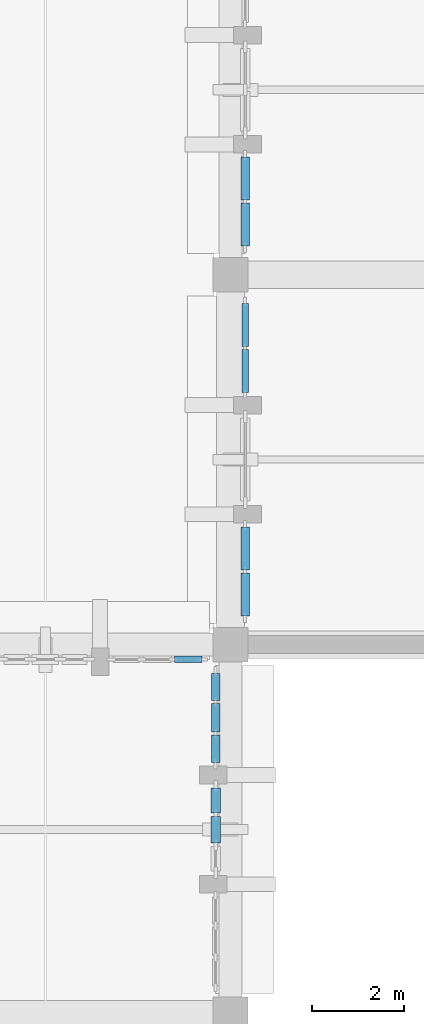
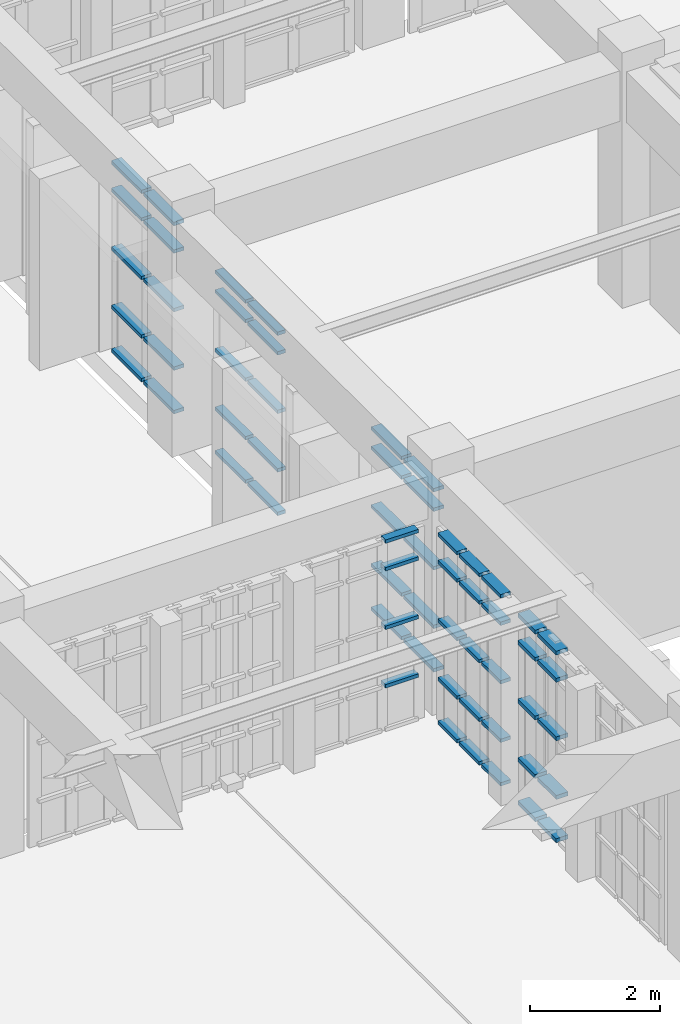
# One storey, part 67 of 155: 59 members, 6 elements without a shape of their own.
"""IFC4 building model written with IfcOpenShell, lengths in metres."""

from ifc_helpers import new_model, si_unit, direction, frame, origin, origin_2d, place, context, subcontext, project, spatial, rectangle, extrude, material, layer, layer_set, material_profile, profile_set, type_object, element, aggregate, save


model = new_model("IFC4")

# Units and contexts
model_context = context("Model", 3, precision=1e-05, world=origin(), true_north=direction((0.0, 1.0)))
body_context = subcontext(model_context, "Body", "Model", "MODEL_VIEW")
ifc_project = project(units=[si_unit("LENGTHUNIT", "METRE"), si_unit("AREAUNIT", "SQUARE_METRE"), si_unit("VOLUMEUNIT", "CUBIC_METRE"), si_unit("PLANEANGLEUNIT", "RADIAN"), si_unit("MASSUNIT", "GRAM", prefix="KILO")], contexts=[model_context])

# Site, building, storey
site_placement = place(None, origin())
site = spatial("IfcSite", under=ifc_project, at=site_placement, CompositionType="ELEMENT")
building_placement = place(site_placement, origin())
building = spatial("IfcBuilding", under=site, at=building_placement, Name="Tazarka Park Arena", CompositionType="ELEMENT")
storey_placement = place(building_placement, frame((0.0, 0.0, 5.39990234375)))
storey = spatial("IfcBuildingStorey", under=building, at=storey_placement, Name="L01", CompositionType="ELEMENT", Elevation=5.39990234375)

# Curtain wall, members
ifc_material_1 = material(Name="Aluminium and low-e glass", Category="aluminium")
ifc_layer_1 = layer(ifc_material_1, 0.179931640625, Name="Aluminium and low-e glass")
ifc_layer_set_1 = layer_set([ifc_layer_1], Name="Aluminium and low-e glass")
curtain_wall_type_1 = type_object("IfcCurtainWallType", Name="CW-30", PredefinedType="NOTDEFINED", material=ifc_layer_set_1)
curtain_wall_1_placement = place(storey_placement, origin())
curtain_wall_1 = element("IfcCurtainWall", 1, at=curtain_wall_1_placement, inside=storey, type_object=curtain_wall_type_1, Name="Curtain Wall CWA-L01-060", PredefinedType="NOTDEFINED")
ifc_material_2 = material(Name="Aluminium 6060-T66", Category="aluminium")
ifc_material_profile_1 = material_profile(ifc_material_2, rectangle(XDim=0.139892578125, YDim=0.06494140625, at=origin_2d()), Name="Aluminium 6060-T66")
ifc_profile_set_1 = profile_set([ifc_material_profile_1], Name="Aluminium 6060-T66")
member_type_1 = type_object("IfcMemberType", Name="CWT-01", PredefinedType="USERDEFINED", material=ifc_profile_set_1)
member_1_placement = place(storey_placement, frame((40.320068359375, 117.456787109375, 0.03271484375), z_axis=(0.0, 1.0, 0.0), x_axis=(-1.0, 0.0, 0.0)))
member_1 = element("IfcMember", 2, at=member_1_placement, type_object=member_type_1, Name="CW-30 transom 1.1", ObjectType="TRANSOM", PredefinedType="USERDEFINED", context=body_context, shape_type="SweptSolid", body=[
    extrude(rectangle(XDim=0.139892578125, YDim=0.06494140625, at=origin_2d()), origin(), (0.0, 0.0, 1.0), 0.928955078125),
])
member_2_placement = place(storey_placement, frame((40.320068359375, 117.456787109375, 0.85009765625), z_axis=(0.0, 1.0, 0.0), x_axis=(-1.0, 0.0, 0.0)))
member_2 = element("IfcMember", 3, at=member_2_placement, type_object=member_type_1, Name="CW-30 transom 1.2", ObjectType="TRANSOM", PredefinedType="USERDEFINED", context=body_context, shape_type="SweptSolid", body=[
    extrude(rectangle(XDim=0.139892578125, YDim=0.06494140625, at=origin_2d()), origin(), (0.0, 0.0, 1.0), 0.928955078125),
])
member_3_placement = place(storey_placement, frame((40.320068359375, 117.456787109375, 1.9501953125), z_axis=(0.0, 1.0, 0.0), x_axis=(-1.0, 0.0, 0.0)))
member_3 = element("IfcMember", 4, at=member_3_placement, type_object=member_type_1, Name="CW-30 transom 1.3", ObjectType="TRANSOM", PredefinedType="USERDEFINED", context=body_context, shape_type="SweptSolid", body=[
    extrude(rectangle(XDim=0.139892578125, YDim=0.06494140625, at=origin_2d()), origin(), (0.0, 0.0, 1.0), 0.928955078125),
])
member_4_placement = place(storey_placement, frame((40.320068359375, 117.456787109375, 3.050048828125), z_axis=(0.0, 1.0, 0.0), x_axis=(-1.0, 0.0, 0.0)))
member_4 = element("IfcMember", 5, at=member_4_placement, type_object=member_type_1, Name="CW-30 transom 1.4", ObjectType="TRANSOM", PredefinedType="USERDEFINED", context=body_context, shape_type="SweptSolid", body=[
    extrude(rectangle(XDim=0.139892578125, YDim=0.06494140625, at=origin_2d()), origin(), (0.0, 0.0, 1.0), 0.928955078125),
])
member_5_placement = place(storey_placement, frame((40.320068359375, 117.456787109375, 3.41748046875), z_axis=(0.0, 1.0, 0.0), x_axis=(-1.0, 0.0, 0.0)))
member_5 = element("IfcMember", 6, at=member_5_placement, type_object=member_type_1, Name="CW-30 transom 1.5", ObjectType="TRANSOM", PredefinedType="USERDEFINED", context=body_context, shape_type="SweptSolid", body=[
    extrude(rectangle(XDim=0.139892578125, YDim=0.06494140625, at=origin_2d()), origin(), (0.0, 0.0, 1.0), 0.928955078125),
])
member_6_placement = place(storey_placement, frame((40.320068359375, 118.450927734375, 0.03271484375), z_axis=(0.0, 1.0, 0.0), x_axis=(-1.0, 0.0, 0.0)))
member_6 = element("IfcMember", 7, at=member_6_placement, type_object=member_type_1, Name="CW-30 transom 2.1", ObjectType="TRANSOM", PredefinedType="USERDEFINED", context=body_context, shape_type="SweptSolid", body=[
    extrude(rectangle(XDim=0.139892578125, YDim=0.06494140625, at=origin_2d()), origin(), (0.0, 0.0, 1.0), 0.928955078125),
])
member_7_placement = place(storey_placement, frame((40.320068359375, 118.450927734375, 0.85009765625), z_axis=(0.0, 1.0, 0.0), x_axis=(-1.0, 0.0, 0.0)))
member_7 = element("IfcMember", 8, at=member_7_placement, type_object=member_type_1, Name="CW-30 transom 2.2", ObjectType="TRANSOM", PredefinedType="USERDEFINED", context=body_context, shape_type="SweptSolid", body=[
    extrude(rectangle(XDim=0.139892578125, YDim=0.06494140625, at=origin_2d()), origin(), (0.0, 0.0, 1.0), 0.928955078125),
])
member_8_placement = place(storey_placement, frame((40.320068359375, 118.450927734375, 1.9501953125), z_axis=(0.0, 1.0, 0.0), x_axis=(-1.0, 0.0, 0.0)))
member_8 = element("IfcMember", 9, at=member_8_placement, type_object=member_type_1, Name="CW-30 transom 2.3", ObjectType="TRANSOM", PredefinedType="USERDEFINED", context=body_context, shape_type="SweptSolid", body=[
    extrude(rectangle(XDim=0.139892578125, YDim=0.06494140625, at=origin_2d()), origin(), (0.0, 0.0, 1.0), 0.928955078125),
])
member_9_placement = place(storey_placement, frame((40.320068359375, 118.450927734375, 3.050048828125), z_axis=(0.0, 1.0, 0.0), x_axis=(-1.0, 0.0, 0.0)))
member_9 = element("IfcMember", 10, at=member_9_placement, type_object=member_type_1, Name="CW-30 transom 2.4", ObjectType="TRANSOM", PredefinedType="USERDEFINED", context=body_context, shape_type="SweptSolid", body=[
    extrude(rectangle(XDim=0.139892578125, YDim=0.06494140625, at=origin_2d()), origin(), (0.0, 0.0, 1.0), 0.928955078125),
])
member_10_placement = place(storey_placement, frame((40.320068359375, 118.450927734375, 3.41748046875), z_axis=(0.0, 1.0, 0.0), x_axis=(-1.0, 0.0, 0.0)))
member_10 = element("IfcMember", 11, at=member_10_placement, type_object=member_type_1, Name="CW-30 transom 2.5", ObjectType="TRANSOM", PredefinedType="USERDEFINED", context=body_context, shape_type="SweptSolid", body=[
    extrude(rectangle(XDim=0.139892578125, YDim=0.06494140625, at=origin_2d()), origin(), (0.0, 0.0, 1.0), 0.928955078125),
])
aggregate(curtain_wall_1, [member_1, member_2, member_3, member_4, member_5, member_6, member_7, member_8, member_9, member_10])

ifc_material_3 = material(Name="Aluminium and low-e glass", Category="aluminium")
ifc_layer_2 = layer(ifc_material_3, 0.179931640625, Name="Aluminium and low-e glass")
ifc_layer_set_2 = layer_set([ifc_layer_2], Name="Aluminium and low-e glass")
curtain_wall_type_2 = type_object("IfcCurtainWallType", Name="CW-06", PredefinedType="NOTDEFINED", material=ifc_layer_set_2)
curtain_wall_2_placement = place(storey_placement, origin())
curtain_wall_2 = element("IfcCurtainWall", 12, at=curtain_wall_2_placement, inside=storey, type_object=curtain_wall_type_2, Name="Curtain Wall CWA-L01-126", PredefinedType="NOTDEFINED")
member_11_placement = place(storey_placement, frame((38.79296875, 111.679931640625, 0.85009765625), z_axis=(1.0, 0.0, 0.0), x_axis=(0.0, 1.0, 0.0)))
member_11 = element("IfcMember", 13, at=member_11_placement, type_object=member_type_1, Name="CW-06 transom 3.2", ObjectType="TRANSOM", PredefinedType="USERDEFINED", context=body_context, shape_type="SweptSolid", body=[
    extrude(rectangle(XDim=0.139892578125, YDim=0.06494140625, at=origin_2d()), origin(), (0.0, 0.0, 1.0), 0.5869140625),
])
member_12_placement = place(storey_placement, frame((38.79296875, 111.679931640625, 1.9501953125), z_axis=(1.0, 0.0, 0.0), x_axis=(0.0, 1.0, 0.0)))
member_12 = element("IfcMember", 14, at=member_12_placement, type_object=member_type_1, Name="CW-06 transom 3.3", ObjectType="TRANSOM", PredefinedType="USERDEFINED", context=body_context, shape_type="SweptSolid", body=[
    extrude(rectangle(XDim=0.139892578125, YDim=0.06494140625, at=origin_2d()), origin(), (0.0, 0.0, 1.0), 0.5869140625),
])
member_13_placement = place(storey_placement, frame((38.79296875, 111.679931640625, 3.050048828125), z_axis=(1.0, 0.0, 0.0), x_axis=(0.0, 1.0, 0.0)))
member_13 = element("IfcMember", 15, at=member_13_placement, type_object=member_type_1, Name="CW-06 transom 3.4", ObjectType="TRANSOM", PredefinedType="USERDEFINED", context=body_context, shape_type="SweptSolid", body=[
    extrude(rectangle(XDim=0.139892578125, YDim=0.06494140625, at=origin_2d()), origin(), (0.0, 0.0, 1.0), 0.5869140625),
])
member_14_placement = place(storey_placement, frame((38.79296875, 111.679931640625, 3.567626953125), z_axis=(1.0, 0.0, 0.0), x_axis=(0.0, 1.0, 0.0)))
member_14 = element("IfcMember", 16, at=member_14_placement, type_object=member_type_1, Name="CW-06 transom 3.5", ObjectType="TRANSOM", PredefinedType="USERDEFINED", context=body_context, shape_type="SweptSolid", body=[
    extrude(rectangle(XDim=0.139892578125, YDim=0.06494140625, at=origin_2d()), origin(), (0.0, 0.0, 1.0), 0.5869140625),
])
aggregate(curtain_wall_2, [member_11, member_12, member_13, member_14])

ifc_material_4 = material(Name="Aluminium and low-e glass", Category="aluminium")
ifc_layer_3 = layer(ifc_material_4, 0.179931640625, Name="Aluminium and low-e glass")
ifc_layer_set_3 = layer_set([ifc_layer_3], Name="Aluminium and low-e glass")
curtain_wall_type_3 = type_object("IfcCurtainWallType", Name="CW-25", PredefinedType="NOTDEFINED", material=ifc_layer_set_3)
curtain_wall_3_placement = place(storey_placement, origin())
curtain_wall_3 = element("IfcCurtainWall", 17, at=curtain_wall_3_placement, inside=storey, type_object=curtain_wall_type_3, Name="Curtain Wall CWA-L01-055", PredefinedType="NOTDEFINED")
ifc_material_5 = material(Name="Aluminium 6060-T66", Category="aluminium")
ifc_material_profile_2 = material_profile(ifc_material_5, rectangle(XDim=0.179931640625, YDim=0.06494140625, at=origin_2d()), Name="Aluminium 6060-T66")
ifc_profile_set_2 = profile_set([ifc_material_profile_2], Name="Aluminium 6060-T66")
member_type_2 = type_object("IfcMemberType", Name="CWT-02", PredefinedType="USERDEFINED", material=ifc_profile_set_2)
member_15_placement = place(storey_placement, frame((40.320068359375, 120.6201171875, 0.03271484375), z_axis=(0.0, 1.0, 0.0), x_axis=(-1.0, 0.0, 0.0)))
member_15 = element("IfcMember", 18, at=member_15_placement, type_object=member_type_2, Name="CW-25 transom 1.1", ObjectType="TRANSOM", PredefinedType="USERDEFINED", context=body_context, shape_type="SweptSolid", body=[
    extrude(rectangle(XDim=0.179931640625, YDim=0.06494140625, at=origin_2d()), origin(), (0.0, 0.0, 1.0), 0.928955078125),
])
member_16_placement = place(storey_placement, frame((40.320068359375, 120.6201171875, 0.85009765625), z_axis=(0.0, 1.0, 0.0), x_axis=(-1.0, 0.0, 0.0)))
member_16 = element("IfcMember", 19, at=member_16_placement, type_object=member_type_2, Name="CW-25 transom 1.2", ObjectType="TRANSOM", PredefinedType="USERDEFINED", context=body_context, shape_type="SweptSolid", body=[
    extrude(rectangle(XDim=0.179931640625, YDim=0.06494140625, at=origin_2d()), origin(), (0.0, 0.0, 1.0), 0.928955078125),
])
member_17_placement = place(storey_placement, frame((40.320068359375, 120.6201171875, 1.9501953125), z_axis=(0.0, 1.0, 0.0), x_axis=(-1.0, 0.0, 0.0)))
member_17 = element("IfcMember", 20, at=member_17_placement, type_object=member_type_2, Name="CW-25 transom 1.3", ObjectType="TRANSOM", PredefinedType="USERDEFINED", context=body_context, shape_type="SweptSolid", body=[
    extrude(rectangle(XDim=0.179931640625, YDim=0.06494140625, at=origin_2d()), origin(), (0.0, 0.0, 1.0), 0.928955078125),
])
member_18_placement = place(storey_placement, frame((40.320068359375, 120.6201171875, 3.050048828125), z_axis=(0.0, 1.0, 0.0), x_axis=(-1.0, 0.0, 0.0)))
member_18 = element("IfcMember", 21, at=member_18_placement, type_object=member_type_2, Name="CW-25 transom 1.4", ObjectType="TRANSOM", PredefinedType="USERDEFINED", context=body_context, shape_type="SweptSolid", body=[
    extrude(rectangle(XDim=0.179931640625, YDim=0.06494140625, at=origin_2d()), origin(), (0.0, 0.0, 1.0), 0.928955078125),
])
member_19_placement = place(storey_placement, frame((40.320068359375, 120.6201171875, 3.567626953125), z_axis=(0.0, 1.0, 0.0), x_axis=(-1.0, 0.0, 0.0)))
member_19 = element("IfcMember", 22, at=member_19_placement, type_object=member_type_2, Name="CW-25 transom 1.5", ObjectType="TRANSOM", PredefinedType="USERDEFINED", context=body_context, shape_type="SweptSolid", body=[
    extrude(rectangle(XDim=0.179931640625, YDim=0.06494140625, at=origin_2d()), origin(), (0.0, 0.0, 1.0), 0.928955078125),
])
member_20_placement = place(storey_placement, frame((40.320068359375, 121.6142578125, 0.03271484375), z_axis=(0.0, 1.0, 0.0), x_axis=(-1.0, 0.0, 0.0)))
member_20 = element("IfcMember", 23, at=member_20_placement, type_object=member_type_2, Name="CW-25 transom 2.1", ObjectType="TRANSOM", PredefinedType="USERDEFINED", context=body_context, shape_type="SweptSolid", body=[
    extrude(rectangle(XDim=0.179931640625, YDim=0.06494140625, at=origin_2d()), origin(), (0.0, 0.0, 1.0), 0.928955078125),
])
member_21_placement = place(storey_placement, frame((40.320068359375, 121.6142578125, 0.85009765625), z_axis=(0.0, 1.0, 0.0), x_axis=(-1.0, 0.0, 0.0)))
member_21 = element("IfcMember", 24, at=member_21_placement, type_object=member_type_2, Name="CW-25 transom 2.2", ObjectType="TRANSOM", PredefinedType="USERDEFINED", context=body_context, shape_type="SweptSolid", body=[
    extrude(rectangle(XDim=0.179931640625, YDim=0.06494140625, at=origin_2d()), origin(), (0.0, 0.0, 1.0), 0.928955078125),
])
member_22_placement = place(storey_placement, frame((40.320068359375, 121.6142578125, 1.9501953125), z_axis=(0.0, 1.0, 0.0), x_axis=(-1.0, 0.0, 0.0)))
member_22 = element("IfcMember", 25, at=member_22_placement, type_object=member_type_2, Name="CW-25 transom 2.3", ObjectType="TRANSOM", PredefinedType="USERDEFINED", context=body_context, shape_type="SweptSolid", body=[
    extrude(rectangle(XDim=0.179931640625, YDim=0.06494140625, at=origin_2d()), origin(), (0.0, 0.0, 1.0), 0.928955078125),
])
member_23_placement = place(storey_placement, frame((40.320068359375, 121.6142578125, 3.050048828125), z_axis=(0.0, 1.0, 0.0), x_axis=(-1.0, 0.0, 0.0)))
member_23 = element("IfcMember", 26, at=member_23_placement, type_object=member_type_2, Name="CW-25 transom 2.4", ObjectType="TRANSOM", PredefinedType="USERDEFINED", context=body_context, shape_type="SweptSolid", body=[
    extrude(rectangle(XDim=0.179931640625, YDim=0.06494140625, at=origin_2d()), origin(), (0.0, 0.0, 1.0), 0.928955078125),
])
member_24_placement = place(storey_placement, frame((40.320068359375, 121.6142578125, 3.567626953125), z_axis=(0.0, 1.0, 0.0), x_axis=(-1.0, 0.0, 0.0)))
member_24 = element("IfcMember", 27, at=member_24_placement, type_object=member_type_2, Name="CW-25 transom 2.5", ObjectType="TRANSOM", PredefinedType="USERDEFINED", context=body_context, shape_type="SweptSolid", body=[
    extrude(rectangle(XDim=0.179931640625, YDim=0.06494140625, at=origin_2d()), origin(), (0.0, 0.0, 1.0), 0.928955078125),
])
aggregate(curtain_wall_3, [member_15, member_16, member_17, member_18, member_19, member_20, member_21, member_22, member_23, member_24])

ifc_material_6 = material(Name="Aluminium and low-e glass", Category="aluminium")
ifc_layer_4 = layer(ifc_material_6, 0.179931640625, Name="Aluminium and low-e glass")
ifc_layer_set_4 = layer_set([ifc_layer_4], Name="Aluminium and low-e glass")
curtain_wall_type_4 = type_object("IfcCurtainWallType", Name="CW-28", PredefinedType="NOTDEFINED", material=ifc_layer_set_4)
curtain_wall_4_placement = place(storey_placement, origin())
curtain_wall_4 = element("IfcCurtainWall", 28, at=curtain_wall_4_placement, inside=storey, type_object=curtain_wall_type_4, Name="Curtain Wall CWA-L01-058", PredefinedType="NOTDEFINED")
member_25_placement = place(storey_placement, frame((40.320068359375, 112.6201171875, 0.03271484375), z_axis=(0.0, 1.0, 0.0), x_axis=(-1.0, 0.0, 0.0)))
member_25 = element("IfcMember", 29, at=member_25_placement, type_object=member_type_2, Name="CW-28 transom 1.1", ObjectType="TRANSOM", PredefinedType="USERDEFINED", context=body_context, shape_type="SweptSolid", body=[
    extrude(rectangle(XDim=0.179931640625, YDim=0.06494140625, at=origin_2d()), origin(), (0.0, 0.0, 1.0), 0.928955078125),
])
member_26_placement = place(storey_placement, frame((40.320068359375, 112.6201171875, 0.85009765625), z_axis=(0.0, 1.0, 0.0), x_axis=(-1.0, 0.0, 0.0)))
member_26 = element("IfcMember", 30, at=member_26_placement, type_object=member_type_2, Name="CW-28 transom 1.2", ObjectType="TRANSOM", PredefinedType="USERDEFINED", context=body_context, shape_type="SweptSolid", body=[
    extrude(rectangle(XDim=0.179931640625, YDim=0.06494140625, at=origin_2d()), origin(), (0.0, 0.0, 1.0), 0.928955078125),
])
member_27_placement = place(storey_placement, frame((40.320068359375, 112.6201171875, 1.9501953125), z_axis=(0.0, 1.0, 0.0), x_axis=(-1.0, 0.0, 0.0)))
member_27 = element("IfcMember", 31, at=member_27_placement, type_object=member_type_2, Name="CW-28 transom 1.3", ObjectType="TRANSOM", PredefinedType="USERDEFINED", context=body_context, shape_type="SweptSolid", body=[
    extrude(rectangle(XDim=0.179931640625, YDim=0.06494140625, at=origin_2d()), origin(), (0.0, 0.0, 1.0), 0.928955078125),
])
member_28_placement = place(storey_placement, frame((40.320068359375, 112.6201171875, 3.050048828125), z_axis=(0.0, 1.0, 0.0), x_axis=(-1.0, 0.0, 0.0)))
member_28 = element("IfcMember", 32, at=member_28_placement, type_object=member_type_2, Name="CW-28 transom 1.4", ObjectType="TRANSOM", PredefinedType="USERDEFINED", context=body_context, shape_type="SweptSolid", body=[
    extrude(rectangle(XDim=0.179931640625, YDim=0.06494140625, at=origin_2d()), origin(), (0.0, 0.0, 1.0), 0.928955078125),
])
member_29_placement = place(storey_placement, frame((40.320068359375, 112.6201171875, 3.41748046875), z_axis=(0.0, 1.0, 0.0), x_axis=(-1.0, 0.0, 0.0)))
member_29 = element("IfcMember", 33, at=member_29_placement, type_object=member_type_2, Name="CW-28 transom 1.5", ObjectType="TRANSOM", PredefinedType="USERDEFINED", context=body_context, shape_type="SweptSolid", body=[
    extrude(rectangle(XDim=0.179931640625, YDim=0.06494140625, at=origin_2d()), origin(), (0.0, 0.0, 1.0), 0.928955078125),
])
member_30_placement = place(storey_placement, frame((40.320068359375, 113.6142578125, 0.03271484375), z_axis=(0.0, 1.0, 0.0), x_axis=(-1.0, 0.0, 0.0)))
member_30 = element("IfcMember", 34, at=member_30_placement, type_object=member_type_2, Name="CW-28 transom 2.1", ObjectType="TRANSOM", PredefinedType="USERDEFINED", context=body_context, shape_type="SweptSolid", body=[
    extrude(rectangle(XDim=0.179931640625, YDim=0.06494140625, at=origin_2d()), origin(), (0.0, 0.0, 1.0), 0.928955078125),
])
member_31_placement = place(storey_placement, frame((40.320068359375, 113.6142578125, 0.85009765625), z_axis=(0.0, 1.0, 0.0), x_axis=(-1.0, 0.0, 0.0)))
member_31 = element("IfcMember", 35, at=member_31_placement, type_object=member_type_2, Name="CW-28 transom 2.2", ObjectType="TRANSOM", PredefinedType="USERDEFINED", context=body_context, shape_type="SweptSolid", body=[
    extrude(rectangle(XDim=0.179931640625, YDim=0.06494140625, at=origin_2d()), origin(), (0.0, 0.0, 1.0), 0.928955078125),
])
member_32_placement = place(storey_placement, frame((40.320068359375, 113.6142578125, 1.9501953125), z_axis=(0.0, 1.0, 0.0), x_axis=(-1.0, 0.0, 0.0)))
member_32 = element("IfcMember", 36, at=member_32_placement, type_object=member_type_2, Name="CW-28 transom 2.3", ObjectType="TRANSOM", PredefinedType="USERDEFINED", context=body_context, shape_type="SweptSolid", body=[
    extrude(rectangle(XDim=0.179931640625, YDim=0.06494140625, at=origin_2d()), origin(), (0.0, 0.0, 1.0), 0.928955078125),
])
member_33_placement = place(storey_placement, frame((40.320068359375, 113.6142578125, 3.050048828125), z_axis=(0.0, 1.0, 0.0), x_axis=(-1.0, 0.0, 0.0)))
member_33 = element("IfcMember", 37, at=member_33_placement, type_object=member_type_2, Name="CW-28 transom 2.4", ObjectType="TRANSOM", PredefinedType="USERDEFINED", context=body_context, shape_type="SweptSolid", body=[
    extrude(rectangle(XDim=0.179931640625, YDim=0.06494140625, at=origin_2d()), origin(), (0.0, 0.0, 1.0), 0.928955078125),
])
member_34_placement = place(storey_placement, frame((40.320068359375, 113.6142578125, 3.41748046875), z_axis=(0.0, 1.0, 0.0), x_axis=(-1.0, 0.0, 0.0)))
member_34 = element("IfcMember", 38, at=member_34_placement, type_object=member_type_2, Name="CW-28 transom 2.5", ObjectType="TRANSOM", PredefinedType="USERDEFINED", context=body_context, shape_type="SweptSolid", body=[
    extrude(rectangle(XDim=0.179931640625, YDim=0.06494140625, at=origin_2d()), origin(), (0.0, 0.0, 1.0), 0.928955078125),
])
aggregate(curtain_wall_4, [member_25, member_26, member_27, member_28, member_29, member_30, member_31, member_32, member_33, member_34])

ifc_material_7 = material(Name="Aluminium and low-e glass", Category="aluminium")
ifc_layer_5 = layer(ifc_material_7, 0.179931640625, Name="Aluminium and low-e glass")
ifc_layer_set_5 = layer_set([ifc_layer_5], Name="Aluminium and low-e glass")
curtain_wall_type_5 = type_object("IfcCurtainWallType", Name="CW-01", PredefinedType="NOTDEFINED", material=ifc_layer_set_5)
curtain_wall_5_placement = place(storey_placement, origin())
curtain_wall_5 = element("IfcCurtainWall", 39, at=curtain_wall_5_placement, inside=storey, type_object=curtain_wall_type_5, Name="Curtain Wall CWA-L01-121", PredefinedType="NOTDEFINED")
member_35_placement = place(storey_placement, frame((39.679931640625, 111.3798828125, 0.03271484375), z_axis=(0.0, -1.0, 0.0), x_axis=(1.0, 0.0, 0.0)))
member_35 = element("IfcMember", 40, at=member_35_placement, type_object=member_type_2, Name="CW-01 transom 1.1", ObjectType="TRANSOM", PredefinedType="USERDEFINED", context=body_context, shape_type="SweptSolid", body=[
    extrude(rectangle(XDim=0.179931640625, YDim=0.06494140625, at=origin_2d()), origin(), (0.0, 0.0, 1.0), 0.5869140625),
])
member_36_placement = place(storey_placement, frame((39.679931640625, 111.3798828125, 0.85009765625), z_axis=(0.0, -1.0, 0.0), x_axis=(1.0, 0.0, 0.0)))
member_36 = element("IfcMember", 41, at=member_36_placement, type_object=member_type_2, Name="CW-01 transom 1.2", ObjectType="TRANSOM", PredefinedType="USERDEFINED", context=body_context, shape_type="SweptSolid", body=[
    extrude(rectangle(XDim=0.179931640625, YDim=0.06494140625, at=origin_2d()), origin(), (0.0, 0.0, 1.0), 0.5869140625),
])
member_37_placement = place(storey_placement, frame((39.679931640625, 111.3798828125, 1.9501953125), z_axis=(0.0, -1.0, 0.0), x_axis=(1.0, 0.0, 0.0)))
member_37 = element("IfcMember", 42, at=member_37_placement, type_object=member_type_2, Name="CW-01 transom 1.3", ObjectType="TRANSOM", PredefinedType="USERDEFINED", context=body_context, shape_type="SweptSolid", body=[
    extrude(rectangle(XDim=0.179931640625, YDim=0.06494140625, at=origin_2d()), origin(), (0.0, 0.0, 1.0), 0.5869140625),
])
member_38_placement = place(storey_placement, frame((39.679931640625, 111.3798828125, 3.050048828125), z_axis=(0.0, -1.0, 0.0), x_axis=(1.0, 0.0, 0.0)))
member_38 = element("IfcMember", 43, at=member_38_placement, type_object=member_type_2, Name="CW-01 transom 1.4", ObjectType="TRANSOM", PredefinedType="USERDEFINED", context=body_context, shape_type="SweptSolid", body=[
    extrude(rectangle(XDim=0.179931640625, YDim=0.06494140625, at=origin_2d()), origin(), (0.0, 0.0, 1.0), 0.5869140625),
])
member_39_placement = place(storey_placement, frame((39.679931640625, 111.3798828125, 3.567626953125), z_axis=(0.0, -1.0, 0.0), x_axis=(1.0, 0.0, 0.0)))
member_39 = element("IfcMember", 44, at=member_39_placement, type_object=member_type_2, Name="CW-01 transom 1.5", ObjectType="TRANSOM", PredefinedType="USERDEFINED", context=body_context, shape_type="SweptSolid", body=[
    extrude(rectangle(XDim=0.179931640625, YDim=0.06494140625, at=origin_2d()), origin(), (0.0, 0.0, 1.0), 0.5869140625),
])
member_40_placement = place(storey_placement, frame((39.679931640625, 110.72802734375, 0.03271484375), z_axis=(0.0, -1.0, 0.0), x_axis=(1.0, 0.0, 0.0)))
member_40 = element("IfcMember", 45, at=member_40_placement, type_object=member_type_2, Name="CW-01 transom 2.1", ObjectType="TRANSOM", PredefinedType="USERDEFINED", context=body_context, shape_type="SweptSolid", body=[
    extrude(rectangle(XDim=0.179931640625, YDim=0.06494140625, at=origin_2d()), origin(), (0.0, 0.0, 1.0), 0.619384765625),
])
member_41_placement = place(storey_placement, frame((39.679931640625, 110.72802734375, 0.85009765625), z_axis=(0.0, -1.0, 0.0), x_axis=(1.0, 0.0, 0.0)))
member_41 = element("IfcMember", 46, at=member_41_placement, type_object=member_type_2, Name="CW-01 transom 2.2", ObjectType="TRANSOM", PredefinedType="USERDEFINED", context=body_context, shape_type="SweptSolid", body=[
    extrude(rectangle(XDim=0.179931640625, YDim=0.06494140625, at=origin_2d()), origin(), (0.0, 0.0, 1.0), 0.619384765625),
])
member_42_placement = place(storey_placement, frame((39.679931640625, 110.72802734375, 1.9501953125), z_axis=(0.0, -1.0, 0.0), x_axis=(1.0, 0.0, 0.0)))
member_42 = element("IfcMember", 47, at=member_42_placement, type_object=member_type_2, Name="CW-01 transom 2.3", ObjectType="TRANSOM", PredefinedType="USERDEFINED", context=body_context, shape_type="SweptSolid", body=[
    extrude(rectangle(XDim=0.179931640625, YDim=0.06494140625, at=origin_2d()), origin(), (0.0, 0.0, 1.0), 0.619384765625),
])
member_43_placement = place(storey_placement, frame((39.679931640625, 110.72802734375, 3.050048828125), z_axis=(0.0, -1.0, 0.0), x_axis=(1.0, 0.0, 0.0)))
member_43 = element("IfcMember", 48, at=member_43_placement, type_object=member_type_2, Name="CW-01 transom 2.4", ObjectType="TRANSOM", PredefinedType="USERDEFINED", context=body_context, shape_type="SweptSolid", body=[
    extrude(rectangle(XDim=0.179931640625, YDim=0.06494140625, at=origin_2d()), origin(), (0.0, 0.0, 1.0), 0.619384765625),
])
member_44_placement = place(storey_placement, frame((39.679931640625, 110.72802734375, 3.567626953125), z_axis=(0.0, -1.0, 0.0), x_axis=(1.0, 0.0, 0.0)))
member_44 = element("IfcMember", 49, at=member_44_placement, type_object=member_type_2, Name="CW-01 transom 2.5", ObjectType="TRANSOM", PredefinedType="USERDEFINED", context=body_context, shape_type="SweptSolid", body=[
    extrude(rectangle(XDim=0.179931640625, YDim=0.06494140625, at=origin_2d()), origin(), (0.0, 0.0, 1.0), 0.619384765625),
])
member_45_placement = place(storey_placement, frame((39.679931640625, 110.043701171875, 0.03271484375), z_axis=(0.0, -1.0, 0.0), x_axis=(1.0, 0.0, 0.0)))
member_45 = element("IfcMember", 50, at=member_45_placement, type_object=member_type_2, Name="CW-01 transom 3.1", ObjectType="TRANSOM", PredefinedType="USERDEFINED", context=body_context, shape_type="SweptSolid", body=[
    extrude(rectangle(XDim=0.179931640625, YDim=0.06494140625, at=origin_2d()), origin(), (0.0, 0.0, 1.0), 0.5869140625),
])
member_46_placement = place(storey_placement, frame((39.679931640625, 110.043701171875, 0.85009765625), z_axis=(0.0, -1.0, 0.0), x_axis=(1.0, 0.0, 0.0)))
member_46 = element("IfcMember", 51, at=member_46_placement, type_object=member_type_2, Name="CW-01 transom 3.2", ObjectType="TRANSOM", PredefinedType="USERDEFINED", context=body_context, shape_type="SweptSolid", body=[
    extrude(rectangle(XDim=0.179931640625, YDim=0.06494140625, at=origin_2d()), origin(), (0.0, 0.0, 1.0), 0.5869140625),
])
member_47_placement = place(storey_placement, frame((39.679931640625, 110.043701171875, 1.9501953125), z_axis=(0.0, -1.0, 0.0), x_axis=(1.0, 0.0, 0.0)))
member_47 = element("IfcMember", 52, at=member_47_placement, type_object=member_type_2, Name="CW-01 transom 3.3", ObjectType="TRANSOM", PredefinedType="USERDEFINED", context=body_context, shape_type="SweptSolid", body=[
    extrude(rectangle(XDim=0.179931640625, YDim=0.06494140625, at=origin_2d()), origin(), (0.0, 0.0, 1.0), 0.5869140625),
])
member_48_placement = place(storey_placement, frame((39.679931640625, 110.043701171875, 3.050048828125), z_axis=(0.0, -1.0, 0.0), x_axis=(1.0, 0.0, 0.0)))
member_48 = element("IfcMember", 53, at=member_48_placement, type_object=member_type_2, Name="CW-01 transom 3.4", ObjectType="TRANSOM", PredefinedType="USERDEFINED", context=body_context, shape_type="SweptSolid", body=[
    extrude(rectangle(XDim=0.179931640625, YDim=0.06494140625, at=origin_2d()), origin(), (0.0, 0.0, 1.0), 0.5869140625),
])
member_49_placement = place(storey_placement, frame((39.679931640625, 110.043701171875, 3.567626953125), z_axis=(0.0, -1.0, 0.0), x_axis=(1.0, 0.0, 0.0)))
member_49 = element("IfcMember", 54, at=member_49_placement, type_object=member_type_2, Name="CW-01 transom 3.5", ObjectType="TRANSOM", PredefinedType="USERDEFINED", context=body_context, shape_type="SweptSolid", body=[
    extrude(rectangle(XDim=0.179931640625, YDim=0.06494140625, at=origin_2d()), origin(), (0.0, 0.0, 1.0), 0.5869140625),
])
aggregate(curtain_wall_5, [member_35, member_36, member_37, member_38, member_39, member_40, member_41, member_42, member_43, member_44, member_45, member_46, member_47, member_48, member_49])

ifc_material_8 = material(Name="Aluminium and low-e glass", Category="aluminium")
ifc_layer_6 = layer(ifc_material_8, 0.179931640625, Name="Aluminium and low-e glass")
ifc_layer_set_6 = layer_set([ifc_layer_6], Name="Aluminium and low-e glass")
curtain_wall_type_6 = type_object("IfcCurtainWallType", Name="CW-02", PredefinedType="NOTDEFINED", material=ifc_layer_set_6)
curtain_wall_6_placement = place(storey_placement, origin())
curtain_wall_6 = element("IfcCurtainWall", 55, at=curtain_wall_6_placement, inside=storey, type_object=curtain_wall_type_6, Name="Curtain Wall CWA-L01-122", PredefinedType="NOTDEFINED")
ifc_material_9 = material(Name="Aluminium 6060-T66", Category="aluminium")
ifc_material_profile_3 = material_profile(ifc_material_9, rectangle(XDim=0.2099609375, YDim=0.074951171875, at=origin_2d()), Name="Aluminium 6060-T66")
ifc_profile_set_3 = profile_set([ifc_material_profile_3], Name="Aluminium 6060-T66")
member_type_3 = type_object("IfcMemberType", Name="CWT-03", PredefinedType="USERDEFINED", material=ifc_profile_set_3)
member_50_placement = place(storey_placement, frame((39.679931640625, 108.896728515625, 0.03759765625), z_axis=(0.0, -1.0, 0.0), x_axis=(1.0, 0.0, 0.0)))
member_50 = element("IfcMember", 56, at=member_50_placement, type_object=member_type_3, Name="CW-02 transom 1.1", ObjectType="TRANSOM", PredefinedType="USERDEFINED", context=body_context, shape_type="SweptSolid", body=[
    extrude(rectangle(XDim=0.2099609375, YDim=0.074951171875, at=origin_2d()), origin(), (0.0, 0.0, 1.0), 0.535400390625),
])
member_51_placement = place(storey_placement, frame((39.679931640625, 108.896728515625, 0.85009765625), z_axis=(0.0, -1.0, 0.0), x_axis=(1.0, 0.0, 0.0)))
member_51 = element("IfcMember", 57, at=member_51_placement, type_object=member_type_3, Name="CW-02 transom 1.2", ObjectType="TRANSOM", PredefinedType="USERDEFINED", context=body_context, shape_type="SweptSolid", body=[
    extrude(rectangle(XDim=0.2099609375, YDim=0.074951171875, at=origin_2d()), origin(), (0.0, 0.0, 1.0), 0.535400390625),
])
member_52_placement = place(storey_placement, frame((39.679931640625, 108.896728515625, 1.9501953125), z_axis=(0.0, -1.0, 0.0), x_axis=(1.0, 0.0, 0.0)))
member_52 = element("IfcMember", 58, at=member_52_placement, type_object=member_type_3, Name="CW-02 transom 1.3", ObjectType="TRANSOM", PredefinedType="USERDEFINED", context=body_context, shape_type="SweptSolid", body=[
    extrude(rectangle(XDim=0.2099609375, YDim=0.074951171875, at=origin_2d()), origin(), (0.0, 0.0, 1.0), 0.535400390625),
])
member_53_placement = place(storey_placement, frame((39.679931640625, 108.896728515625, 3.050048828125), z_axis=(0.0, -1.0, 0.0), x_axis=(1.0, 0.0, 0.0)))
member_53 = element("IfcMember", 59, at=member_53_placement, type_object=member_type_3, Name="CW-02 transom 1.4", ObjectType="TRANSOM", PredefinedType="USERDEFINED", context=body_context, shape_type="SweptSolid", body=[
    extrude(rectangle(XDim=0.2099609375, YDim=0.074951171875, at=origin_2d()), origin(), (0.0, 0.0, 1.0), 0.535400390625),
])
member_54_placement = place(storey_placement, frame((39.679931640625, 108.896728515625, 3.5625), z_axis=(0.0, -1.0, 0.0), x_axis=(1.0, 0.0, 0.0)))
member_54 = element("IfcMember", 60, at=member_54_placement, type_object=member_type_3, Name="CW-02 transom 1.5", ObjectType="TRANSOM", PredefinedType="USERDEFINED", context=body_context, shape_type="SweptSolid", body=[
    extrude(rectangle(XDim=0.2099609375, YDim=0.074951171875, at=origin_2d()), origin(), (0.0, 0.0, 1.0), 0.535400390625),
])
member_55_placement = place(storey_placement, frame((39.679931640625, 108.286376953125, 0.03759765625), z_axis=(0.0, -1.0, 0.0), x_axis=(1.0, 0.0, 0.0)))
member_55 = element("IfcMember", 61, at=member_55_placement, type_object=member_type_3, Name="CW-02 transom 2.1", ObjectType="TRANSOM", PredefinedType="USERDEFINED", context=body_context, shape_type="SweptSolid", body=[
    extrude(rectangle(XDim=0.2099609375, YDim=0.074951171875, at=origin_2d()), origin(), (0.0, 0.0, 1.0), 0.57275390625),
])
member_56_placement = place(storey_placement, frame((39.679931640625, 108.286376953125, 0.85009765625), z_axis=(0.0, -1.0, 0.0), x_axis=(1.0, 0.0, 0.0)))
member_56 = element("IfcMember", 62, at=member_56_placement, type_object=member_type_3, Name="CW-02 transom 2.2", ObjectType="TRANSOM", PredefinedType="USERDEFINED", context=body_context, shape_type="SweptSolid", body=[
    extrude(rectangle(XDim=0.2099609375, YDim=0.074951171875, at=origin_2d()), origin(), (0.0, 0.0, 1.0), 0.57275390625),
])
member_57_placement = place(storey_placement, frame((39.679931640625, 108.286376953125, 1.9501953125), z_axis=(0.0, -1.0, 0.0), x_axis=(1.0, 0.0, 0.0)))
member_57 = element("IfcMember", 63, at=member_57_placement, type_object=member_type_3, Name="CW-02 transom 2.3", ObjectType="TRANSOM", PredefinedType="USERDEFINED", context=body_context, shape_type="SweptSolid", body=[
    extrude(rectangle(XDim=0.2099609375, YDim=0.074951171875, at=origin_2d()), origin(), (0.0, 0.0, 1.0), 0.57275390625),
])
member_58_placement = place(storey_placement, frame((39.679931640625, 108.286376953125, 3.050048828125), z_axis=(0.0, -1.0, 0.0), x_axis=(1.0, 0.0, 0.0)))
member_58 = element("IfcMember", 64, at=member_58_placement, type_object=member_type_3, Name="CW-02 transom 2.4", ObjectType="TRANSOM", PredefinedType="USERDEFINED", context=body_context, shape_type="SweptSolid", body=[
    extrude(rectangle(XDim=0.2099609375, YDim=0.074951171875, at=origin_2d()), origin(), (0.0, 0.0, 1.0), 0.57275390625),
])
member_59_placement = place(storey_placement, frame((39.679931640625, 108.286376953125, 3.5625), z_axis=(0.0, -1.0, 0.0), x_axis=(1.0, 0.0, 0.0)))
member_59 = element("IfcMember", 65, at=member_59_placement, type_object=member_type_3, Name="CW-02 transom 2.5", ObjectType="TRANSOM", PredefinedType="USERDEFINED", context=body_context, shape_type="SweptSolid", body=[
    extrude(rectangle(XDim=0.2099609375, YDim=0.074951171875, at=origin_2d()), origin(), (0.0, 0.0, 1.0), 0.57275390625),
])
aggregate(curtain_wall_6, [member_50, member_51, member_52, member_53, member_54, member_55, member_56, member_57, member_58, member_59])

save(model, "model.ifc")
